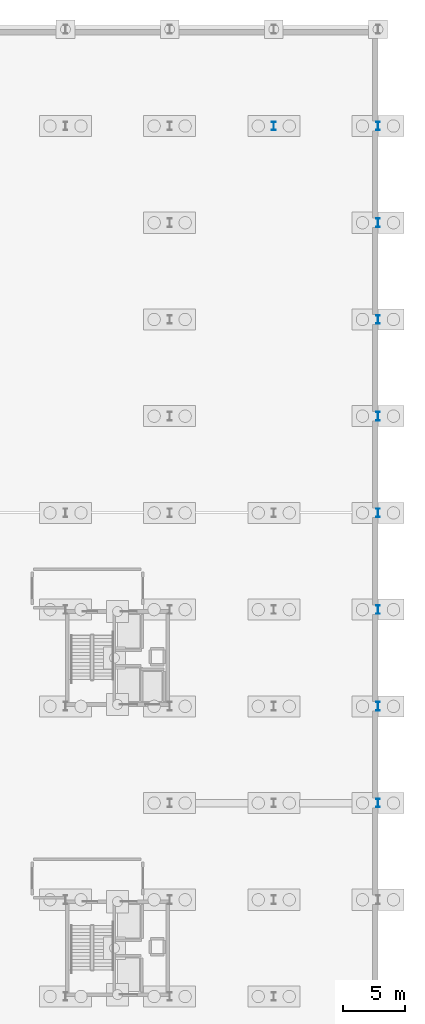
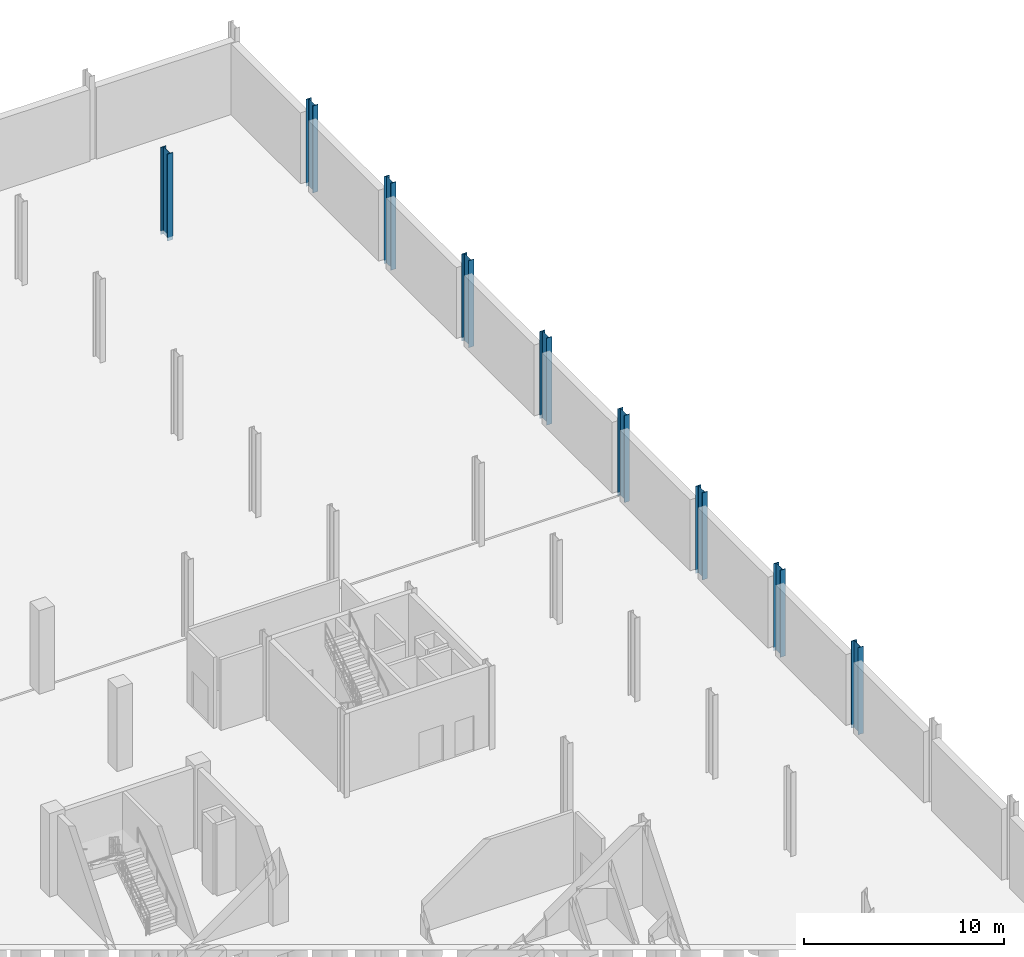
# One storey, part 21 of 48: 9 columns.
"""IFC4 building model written with IfcOpenShell, lengths in metres."""

import ifcopenshell
import ifcopenshell.guid

model = None  # the IFC model being written
_history = None  # IfcOwnerHistory: only IFC2X3 demands one
_inside = {}  # id of a spatial element -> (the spatial element, [elements in it])
_under = {}  # id of a project, library or spatial element -> (it, [spatial elements below it])
_declared = {}  # id of a project -> (the project, [libraries it declares])
_typed = {}  # id of a type object -> (the type object, [elements of that type])
_made_of = {}  # id of a material, layer set ... -> (it, [elements and type objects made of it])


def new_model(schema):
    """Start an empty IFC model of exactly this schema.

    Asked for "IFC4X3", IfcOpenShell would pick the latest addendum, in which some entities
    have other attributes; the version numbers below select the first issue.
    IFC2X3 requires an IfcOwnerHistory on every rooted entity: one is made here for all.
    """
    global model, _history
    if schema == "IFC4X3":
        model = ifcopenshell.file(schema_version=(4, 3, 0, 0))
    else:
        model = ifcopenshell.file(schema=schema)
    _inside.clear()
    _under.clear()
    _declared.clear()
    _typed.clear()
    _made_of.clear()
    _history = None
    if model.schema == "IFC2X3":
        org = make("IfcOrganization", Name="unknown")
        user = make(
            "IfcPersonAndOrganization",
            ThePerson=make("IfcPerson", FamilyName="unknown"),
            TheOrganization=org,
        )
        app = make(
            "IfcApplication",
            ApplicationDeveloper=org,
            Version="unknown",
            ApplicationFullName="unknown",
            ApplicationIdentifier="unknown",
        )
        _history = make(
            "IfcOwnerHistory",
            OwningUser=user,
            OwningApplication=app,
            ChangeAction="ADDED",
            CreationDate=0,
        )
    return model


def make(cls, **values):
    """One entity of the class cls with the attributes given. An attribute that is None is left unset."""
    return model.create_entity(
        cls, **{name: value for name, value in values.items() if value is not None}
    )


def rooted(cls, **values):
    """An entity with a GlobalId (a new one), such as an element, a storey or a relation."""
    return make(cls, GlobalId=ifcopenshell.guid.new(), OwnerHistory=_history, **values)


def si_unit(unit_type, name, prefix=None):
    """IfcSIUnit, for example si_unit("LENGTHUNIT", "METRE", prefix="MILLI")."""
    return make("IfcSIUnit", UnitType=unit_type, Prefix=prefix, Name=name)


def assignment(units):
    """IfcUnitAssignment: the units of a project."""
    return None if units is None else make("IfcUnitAssignment", Units=units)


def point(xyz):
    """IfcCartesianPoint."""
    return None if xyz is None else make("IfcCartesianPoint", Coordinates=xyz)


def direction(xyz):
    """IfcDirection."""
    return None if xyz is None else make("IfcDirection", DirectionRatios=xyz)


def frame(location, z_axis=None, x_axis=None):
    """IfcAxis2Placement3D, a coordinate frame: its origin and axes. An axis left out is left unset."""
    return make(
        "IfcAxis2Placement3D",
        Location=point(location),
        Axis=direction(z_axis),
        RefDirection=direction(x_axis),
    )


def frame_2d(location, x_axis=None):
    """IfcAxis2Placement2D, a coordinate frame in the plane: its origin and x axis."""
    return make(
        "IfcAxis2Placement2D", Location=point(location), RefDirection=direction(x_axis)
    )


def origin():
    """The frame at (0, 0, 0) with its axes left unset."""
    return frame((0.0, 0.0, 0.0))


def origin_2d():
    """The frame at (0, 0) in the plane with its x axis left unset."""
    return frame_2d((0.0, 0.0))


def place(relative_to, where):
    """IfcLocalPlacement: puts the frame where relative to a parent placement (None: the world)."""
    return make(
        "IfcLocalPlacement", PlacementRelTo=relative_to, RelativePlacement=where
    )


def context(
    kind, dimensions, precision=None, world=None, true_north=None, identifier=None
):
    """IfcGeometricRepresentationContext, for example the 3D "Model" context."""
    return make(
        "IfcGeometricRepresentationContext",
        ContextIdentifier=identifier,
        ContextType=kind,
        CoordinateSpaceDimension=dimensions,
        Precision=precision,
        WorldCoordinateSystem=world,
        TrueNorth=true_north,
    )


def subcontext(parent, identifier, kind, view, scale=None):
    """IfcGeometricRepresentationSubContext, for example "Body" below "Model"."""
    return make(
        "IfcGeometricRepresentationSubContext",
        ContextIdentifier=identifier,
        ContextType=kind,
        ParentContext=parent,
        TargetScale=scale,
        TargetView=view,
    )


def project(units=None, contexts=None):
    """IfcProject with its units and contexts."""
    return rooted(
        "IfcProject",
        Name="project",
        RepresentationContexts=contexts,
        UnitsInContext=assignment(units),
    )


def spatial(cls, under=None, at=None, **own):
    """A site, building, storey or space (cls), placed at a placement, below another one or the project."""
    s = rooted(cls, ObjectPlacement=at, **own)
    if under is not None:
        _under.setdefault(under.id(), (under, []))[1].append(s)
    return s


def profile(cls, at=None, kind="AREA", **sizes):
    """A parametric profile (cls). Its sizes go by their IFC names, for example OverallWidth=200.0."""
    return make(cls, ProfileType=kind, Position=at, **sizes)


def i_section(**sizes):
    """IfcIShapeProfileDef."""
    return profile("IfcIShapeProfileDef", **sizes)


def extrude(swept, where, along, depth):
    """IfcExtrudedAreaSolid: the profile swept, set in the frame where, extruded along a direction by depth."""
    return make(
        "IfcExtrudedAreaSolid",
        SweptArea=swept,
        Position=where,
        ExtrudedDirection=direction(along),
        Depth=depth,
    )


def shape(context_of_items, identifier, shape_type, items):
    """IfcShapeRepresentation: the items that make up one representation, for example the "Body"."""
    return make(
        "IfcShapeRepresentation",
        ContextOfItems=context_of_items,
        RepresentationIdentifier=identifier,
        RepresentationType=shape_type,
        Items=items,
    )


def material(Name=None, Category=None):
    """IfcMaterial."""
    return make("IfcMaterial", Name=Name, Category=Category)


def material_profile(
    of_material, cross_section, Name=None, Category=None, Priority=None
):
    """IfcMaterialProfile: a cross section and its material."""
    return make(
        "IfcMaterialProfile",
        Name=Name,
        Material=of_material,
        Profile=cross_section,
        Priority=Priority,
        Category=Category,
    )


def profile_set(profiles, Name=None, composite=None):
    """IfcMaterialProfileSet."""
    return make(
        "IfcMaterialProfileSet",
        Name=Name,
        MaterialProfiles=profiles,
        CompositeProfile=composite,
    )


def made_of(thing, what):
    """Note that an element or type object is made of a material, layer set ...; save() writes the relation."""
    if what is not None:
        _made_of.setdefault(what.id(), (what, []))[1].append(thing)
    return thing


def type_object(cls, material=None, **own):
    """A type object (cls), such as IfcWallType, which elements share."""
    return made_of(rooted(cls, **own), material)


def element(
    cls,
    number,
    at=None,
    inside=None,
    cuts=None,
    type_object=None,
    material=None,
    context=None,
    identifier="Body",
    shape_type=None,
    held_by="IfcProductDefinitionShape",
    body=None,
    shapes=None,
    **own,
):
    """One element of the class cls, such as IfcWall. Its Tag is "e" and its number.

    at: its placement. inside: the storey or other place that contains it. cuts: it is an
    opening in that element (IfcRelVoidsElement). A single representation is given by context,
    identifier, shape_type and body (its items); several are given by shapes. held_by: the class
    of the entity that holds the representations. save() writes the other relations.
    """
    e = rooted(cls, Tag="e%d" % number, ObjectPlacement=at, **own)
    if body is not None:
        shapes = [shape(context, identifier, shape_type, body)]
    if shapes is not None:
        e.Representation = make(held_by, Representations=shapes)
    if inside is not None:
        _inside.setdefault(inside.id(), (inside, []))[1].append(e)
    if cuts is not None:
        rooted(
            "IfcRelVoidsElement", RelatingBuildingElement=cuts, RelatedOpeningElement=e
        )
    if type_object is not None:
        _typed.setdefault(type_object.id(), (type_object, []))[1].append(e)
    return made_of(e, material)


def aggregate(whole, parts):
    """IfcRelAggregates: a whole, such as a stair, and the parts it consists of."""
    return rooted("IfcRelAggregates", RelatingObject=whole, RelatedObjects=parts)


def save(model, path):
    """Write the relations noted so far, then the file.

    IfcRelAggregates (storeys below a building ...), IfcRelContainedInSpatialStructure (elements
    in a storey), IfcRelDefinesByType, IfcRelAssociatesMaterial and IfcRelDeclares: one each for
    every whole, place, type object, material and project.
    """
    for whole, parts in _under.values():
        aggregate(whole, parts)
    for where, things in _inside.values():
        rooted(
            "IfcRelContainedInSpatialStructure",
            RelatedElements=things,
            RelatingStructure=where,
        )
    for kind, things in _typed.values():
        rooted("IfcRelDefinesByType", RelatedObjects=things, RelatingType=kind)
    for what, things in _made_of.values():
        rooted("IfcRelAssociatesMaterial", RelatedObjects=things, RelatingMaterial=what)
    for by, libraries in _declared.values():
        rooted("IfcRelDeclares", RelatingContext=by, RelatedDefinitions=libraries)
    model.write(path)


model = new_model("IFC4")

# Units and contexts
model_context = context("Model", 3, precision=1e-05, world=origin(), true_north=direction((0.0, 1.0)))
body_context = subcontext(model_context, "Body", "Model", "MODEL_VIEW")
ifc_project = project(units=[si_unit("LENGTHUNIT", "METRE"), si_unit("AREAUNIT", "SQUARE_METRE"), si_unit("VOLUMEUNIT", "CUBIC_METRE"), si_unit("PLANEANGLEUNIT", "RADIAN"), si_unit("MASSUNIT", "GRAM", prefix="KILO")], contexts=[model_context])

# Site, building, storey
site_placement = place(None, origin())
site = spatial("IfcSite", under=ifc_project, at=site_placement, CompositionType="ELEMENT")
building_placement = place(site_placement, origin())
building = spatial("IfcBuilding", under=site, at=building_placement, Name="Nabrawat Pavilion Hospital", CompositionType="ELEMENT")
storey_placement = place(building_placement, frame((0.0, 0.0, -5.10009765625)))
storey = spatial("IfcBuildingStorey", under=building, at=storey_placement, Name="B1", CompositionType="ELEMENT", Elevation=-5.10009765625)

# Columns
ifc_material = material(Name="Steel S355", Category="steel")
ifc_material_profile = material_profile(ifc_material, i_section(OverallWidth=0.300048828125, OverallDepth=0.699951171875, WebThickness=0.01708984375, FlangeThickness=0.031982421875, FilletRadius=0.027099609375, at=origin_2d()), Name="HEB 700")
ifc_profile_set = profile_set([ifc_material_profile], Name="Steel S355")
column_type = type_object("IfcColumnType", Name="Base Transfer Steel Column HEB 700", PredefinedType="COLUMN", material=ifc_profile_set)
for number, where, z_axis, x_axis, name in (
    (1, (184.800048828125, 117.0, -0.219970703125), (0.0, 0.0, 1.0), (1.0, 0.0, 0.0), "B1 Structural Column G-23-R"),
    (2, (193.199951171875, 62.39990234375, -0.219970703125), (0.0, 0.0, 1.0), (1.0, 0.0, 0.0), "B1 Structural Column G-24-J"),
    (3, (193.199951171875, 70.199951171875, -0.219970703125), (0.0, 0.0, 1.0), (1.0, 0.0, 0.0), "B1 Structural Column G-24-K"),
    (4, (193.199951171875, 78.0, -0.219970703125), (0.0, 0.0, 1.0), (1.0, 0.0, 0.0), "B1 Structural Column G-24-L"),
    (5, (193.199951171875, 85.800048828125, -0.219970703125), (0.0, 0.0, 1.0), (1.0, 0.0, 0.0), "B1 Structural Column G-24-M1"),
    (6, (193.199951171875, 93.60009765625, -0.219970703125), (0.0, 0.0, 1.0), (1.0, 0.0, 0.0), "B1 Structural Column G-24-N"),
    (7, (193.199951171875, 101.39990234375, -0.219970703125), (0.0, 0.0, 1.0), (1.0, 0.0, 0.0), "B1 Structural Column G-24-P"),
    (8, (193.199951171875, 109.199951171875, -0.219970703125), (0.0, 0.0, 1.0), (1.0, 0.0, 0.0), "B1 Structural Column G-24-Q"),
    (9, (193.199951171875, 117.0, -0.219970703125), (0.0, 0.0, 1.0), (1.0, 0.0, 0.0), "B1 Structural Column G-24-R"),
):
    element("IfcColumn", number, at=place(storey_placement, frame(where, z_axis=z_axis, x_axis=x_axis)), inside=storey, type_object=column_type, Name=name, PredefinedType="COLUMN", context=body_context, shape_type="SweptSolid", body=[
        extrude(i_section(OverallWidth=0.300048828125, OverallDepth=0.699951171875, WebThickness=0.01708984375, FlangeThickness=0.031982421875, FilletRadius=0.027099609375, at=origin_2d()), origin(), (0.0, 0.0, 1.0), 5.320068359375),
    ])

save(model, "model.ifc")
